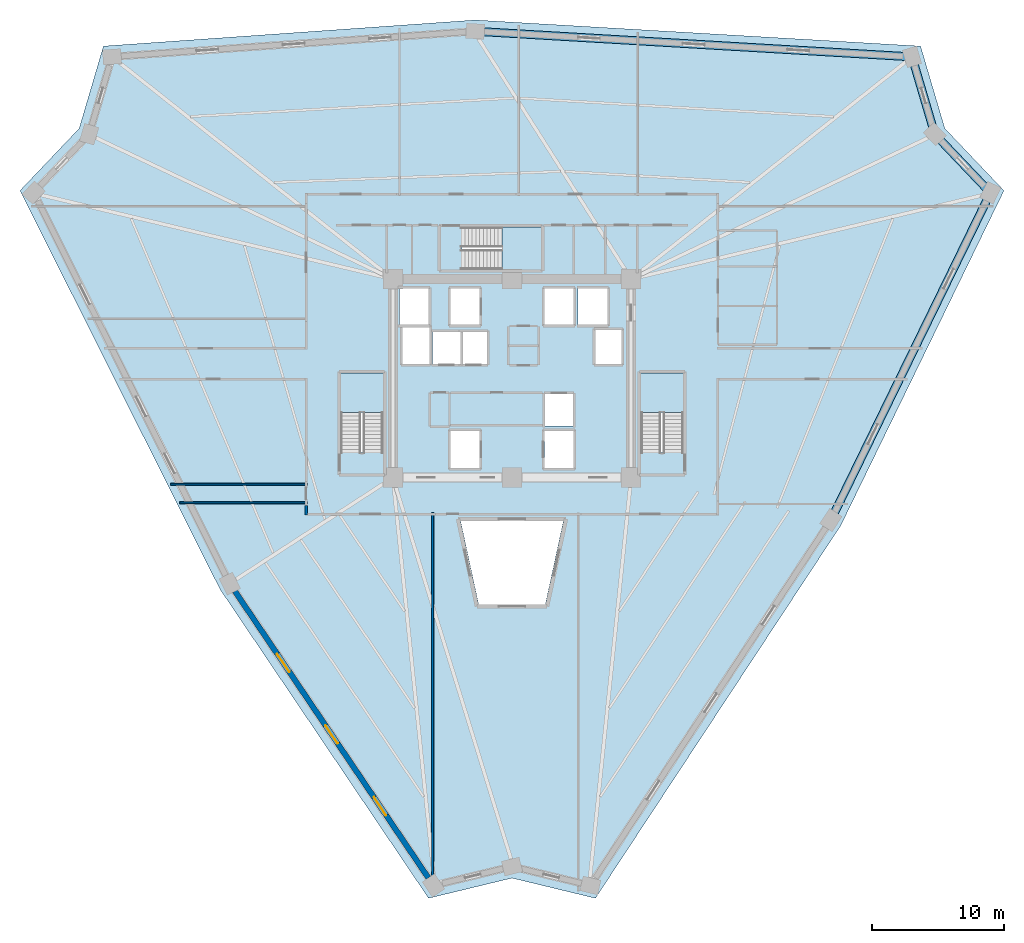
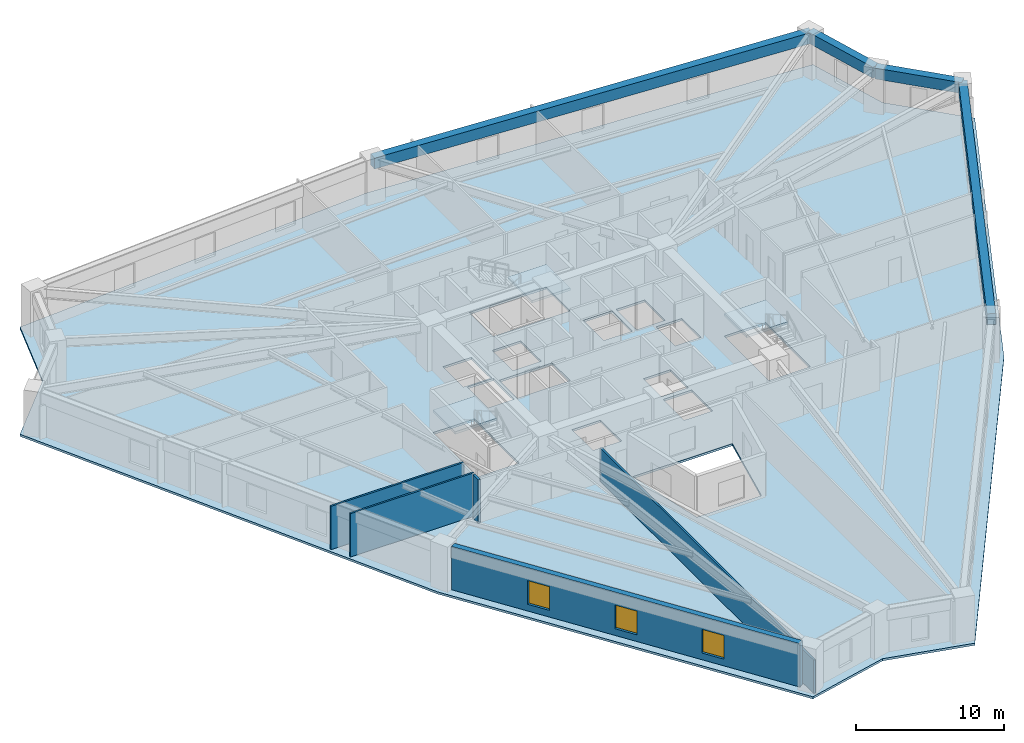
# One storey, part 2 of 9: 5 walls, 4 beams, 4 slabs, 3 windows, 3 openings, 3 elements without a shape of their own.
"""IFC4 building model written with IfcOpenShell, lengths in metres."""

from ifc_helpers import new_model, si_unit, direction, frame, frame_2d, origin, origin_2d, place, context, subcontext, project, spatial, polyline, rectangle, outline, extrude, source, transform, mapped, material, layer, layer_set, material_profile, profile_set, type_object, element, fill, aggregate, save


model = new_model("IFC4")

# Units and contexts
model_context = context("Model", 3, precision=1e-05, world=origin(), true_north=direction((0.0, 1.0)))
body_context = subcontext(model_context, "Body", "Model", "MODEL_VIEW")
ifc_project = project(units=[si_unit("LENGTHUNIT", "METRE"), si_unit("AREAUNIT", "SQUARE_METRE"), si_unit("VOLUMEUNIT", "CUBIC_METRE"), si_unit("PLANEANGLEUNIT", "RADIAN"), si_unit("MASSUNIT", "GRAM", prefix="KILO")], contexts=[model_context])

# Site, building, storey
site_placement = place(None, origin())
site = spatial("IfcSite", under=ifc_project, at=site_placement, CompositionType="ELEMENT")
building_placement = place(site_placement, origin())
building = spatial("IfcBuilding", under=site, at=building_placement, Name="Liaohun Quay Tower", CompositionType="ELEMENT")
storey_placement = place(building_placement, frame((0.0, 0.0, 132.0)))
storey = spatial("IfcBuildingStorey", under=building, at=storey_placement, Name="L34", CompositionType="ELEMENT", Elevation=132.0)

# Beams
ifc_material_1 = material(Name="Precast concrete C55", Category="concrete")
ifc_material_profile = material_profile(ifc_material_1, rectangle(XDim=0.60009765625, YDim=0.89990234375, at=origin_2d()), Name="RC600x900")
ifc_profile_set = profile_set([ifc_material_profile], Name="Precast concrete C55")
beam_type = type_object("IfcBeamType", Name="BM-SPD-Z2", PredefinedType="SPANDREL", material=ifc_profile_set)
shared_shape_1 = source(origin(), body_context, "Body", "SweptSolid", [
    extrude(rectangle(XDim=0.60009765625, YDim=0.89990234375, at=origin_2d()), origin(), (0.0, 0.0, 1.0), 27.518798828125),
])
beam_1_placement = place(storey_placement, frame((96.156005859375, 68.027099609375, 3.1201171875), z_axis=(-0.438130832845, -0.898911215477, 0.0), x_axis=(0.898911215477, -0.438130832845, 0.0)))
element("IfcBeam", 1, at=beam_1_placement, inside=storey, type_object=beam_type, Name="L34 Precast Spandrel Beam PC09-PC10", PredefinedType="SPANDREL", context=body_context, shape_type="MappedRepresentation", body=[
    mapped(shared_shape_1, transform((0.0, 0.0, 0.0), x_axis=(1.0, 0.0, 0.0), y_axis=(0.0, 1.0, 0.0), z_axis=(0.0, 0.0, 1.0), scale=1.0)),
])
shared_shape_2 = source(origin(), body_context, "Body", "SweptSolid", [
    extrude(rectangle(XDim=0.60009765625, YDim=0.89990234375, at=origin_2d()), origin(), (0.0, 0.0, 1.0), 33.05859375),
])
beam_2_placement = place(storey_placement, frame((57.22607421875, 80.22607421875, 3.1201171875), z_axis=(0.998287133367, -0.058504695142, 0.0), x_axis=(0.058504695142, 0.998287133367, 0.0)))
element("IfcBeam", 2, at=beam_2_placement, inside=storey, type_object=beam_type, Name="L34 Precast Spandrel Beam PC06-PC07", PredefinedType="SPANDREL", context=body_context, shape_type="MappedRepresentation", body=[
    mapped(shared_shape_2, transform((0.0, 0.0, 0.0), x_axis=(1.0, 0.0, 0.0), y_axis=(0.0, 1.0, 0.0), z_axis=(0.0, 0.0, 1.0), scale=1.0)),
])
shared_shape_3 = source(origin(), body_context, "Body", "SweptSolid", [
    extrude(rectangle(XDim=0.60009765625, YDim=0.89990234375, at=origin_2d()), origin(), (0.0, 0.0, 1.0), 6.09326171875),
])
beam_3_placement = place(storey_placement, frame((90.22802734375, 78.2919921875, 3.1201171875), z_axis=(0.282591464214, -0.959240357967, 0.0), x_axis=(0.959240357967, 0.282591464214, 0.0)))
element("IfcBeam", 3, at=beam_3_placement, inside=storey, type_object=beam_type, Name="L34 Precast Spandrel Beam PC07-PC08", PredefinedType="SPANDREL", context=body_context, shape_type="MappedRepresentation", body=[
    mapped(shared_shape_3, transform((0.0, 0.0, 0.0), x_axis=(1.0, 0.0, 0.0), y_axis=(0.0, 1.0, 0.0), z_axis=(0.0, 0.0, 1.0), scale=1.0)),
])
shared_shape_4 = source(origin(), body_context, "Body", "SweptSolid", [
    extrude(rectangle(XDim=0.60009765625, YDim=0.89990234375, at=origin_2d()), origin(), (0.0, 0.0, 1.0), 6.101318359375),
])
beam_4_placement = place(storey_placement, frame((91.949951171875, 72.447021484375, 3.1201171875), z_axis=(0.689363360648, -0.724415734918, 0.0), x_axis=(0.724415734918, 0.689363360648, 0.0)))
element("IfcBeam", 4, at=beam_4_placement, inside=storey, type_object=beam_type, Name="L34 Precast Spandrel Beam PC08-PC09", PredefinedType="SPANDREL", context=body_context, shape_type="MappedRepresentation", body=[
    mapped(shared_shape_4, transform((0.0, 0.0, 0.0), x_axis=(1.0, 0.0, 0.0), y_axis=(0.0, 1.0, 0.0), z_axis=(0.0, 0.0, 1.0), scale=1.0)),
])

# Stair, slab
ifc_material_2 = material(Name="Concrete C45", Category="concrete")
stair_type = type_object("IfcStairType", Name="STR-CORE-OFF", PredefinedType="HALF_TURN_STAIR", material=ifc_material_2)
stair_1_placement = place(storey_placement, origin())
stair_1 = element("IfcStair", 5, at=stair_1_placement, inside=storey, type_object=stair_type, Name="L34 Smokeproof Core Exit Stair ST-1", PredefinedType="HALF_TURN_STAIR")
ifc_layer_1 = layer(ifc_material_2, 0.199951171875, Name="Concrete C45", Category="concrete")
ifc_layer_set_1 = layer_set([ifc_layer_1], Name="Concrete C45")
slab_type_1 = type_object("IfcSlabType", Name="SLB-LND-200", PredefinedType="LANDING", material=ifc_layer_set_1)
slab_1_placement = place(storey_placement, frame((0.0, 0.0, 1.675048828125)))
slab_1 = element("IfcSlab", 6, at=slab_1_placement, type_object=slab_type_1, Name="ST-1 landing 1", PredefinedType="LANDING", context=body_context, shape_type="SweptSolid", body=[
    extrude(outline(polyline([(50.280029296875, 51.429931640625), (50.280029296875, 54.419921875), (47.0400390625, 54.419921875), (47.0400390625, 51.429931640625), (50.280029296875, 51.429931640625)])), origin(), (0.0, 0.0, 1.0), 0.199951171875),
])
aggregate(stair_1, [slab_1])

stair_2_placement = place(storey_placement, origin())
stair_2 = element("IfcStair", 7, at=stair_2_placement, inside=storey, type_object=stair_type, Name="L34 Smokeproof Core Exit Stair ST-2", PredefinedType="HALF_TURN_STAIR")
slab_2_placement = place(storey_placement, frame((0.0, 0.0, 1.675048828125)))
slab_2 = element("IfcSlab", 8, at=slab_2_placement, type_object=slab_type_1, Name="ST-2 landing 1", PredefinedType="LANDING", context=body_context, shape_type="SweptSolid", body=[
    extrude(outline(polyline([(72.9599609375, 51.429931640625), (72.9599609375, 54.419921875), (69.719970703125, 54.419921875), (69.719970703125, 51.429931640625), (72.9599609375, 51.429931640625)])), origin(), (0.0, 0.0, 1.0), 0.199951171875),
])
aggregate(stair_2, [slab_2])

stair_3_placement = place(storey_placement, origin())
stair_3 = element("IfcStair", 9, at=stair_3_placement, inside=storey, type_object=stair_type, Name="L34 Smokeproof Core Exit Stair ST-3", PredefinedType="HALF_TURN_STAIR")
slab_3_placement = place(storey_placement, frame((0.0, 0.0, 1.675048828125)))
slab_3 = element("IfcSlab", 10, at=slab_3_placement, type_object=slab_type_1, Name="ST-3 landing 1", PredefinedType="LANDING", context=body_context, shape_type="SweptSolid", body=[
    extrude(outline(polyline([(59.22998046875, 62.199951171875), (62.219970703125, 62.199951171875), (62.219970703125, 65.43994140625), (59.22998046875, 65.43994140625), (59.22998046875, 62.199951171875)])), origin(), (0.0, 0.0, 1.0), 0.199951171875),
])
aggregate(stair_3, [slab_3])

# Slab
ifc_layer_2 = layer(ifc_material_2, 0.179931640625, Name="Concrete C45", Category="concrete")
ifc_layer_set_2 = layer_set([ifc_layer_2], Name="Concrete C45")
slab_type_2 = type_object("IfcSlabType", Name="SLB-OFF-180", PredefinedType="FLOOR", material=ifc_layer_set_2)
slab_4_placement = place(storey_placement, frame((0.0, 0.0, -0.179931640625)))
element("IfcSlab", 11, at=slab_4_placement, inside=storey, type_object=slab_type_2, Name="L34 Structural Floor Slab", PredefinedType="FLOOR", context=body_context, shape_type="SweptSolid", body=[
    extrude(outline(polyline([(53.695068359375, 14.7099609375), (60.0, 16.23291015625), (66.304931640625, 14.7099609375), (84.839111328125, 42.867919921875), (97.178955078125, 68.18505859375), (92.70703125, 72.884033203125), (90.8740234375, 79.10595703125), (57.220947265625, 81.077880859375), (29.1259765625, 79.10595703125), (27.29296875, 72.884033203125), (22.821044921875, 68.18505859375), (37.93896484375, 38.054931640625), (53.695068359375, 14.7099609375)]), holes=[polyline([(57.56005859375, 50.030029296875), (55.340087890625, 50.030029296875), (55.340087890625, 47.2099609375), (57.56005859375, 47.2099609375), (57.56005859375, 50.030029296875)]), polyline([(50.280029296875, 54.419921875), (47.0400390625, 54.419921875), (47.0400390625, 48.409912109375), (50.280029296875, 48.409912109375), (50.280029296875, 54.419921875)]), polyline([(53.989990234375, 55.090087890625), (58.110107421875, 55.090087890625), (58.110107421875, 57.510009765625), (53.989990234375, 57.510009765625), (53.989990234375, 55.090087890625)]), polyline([(53.760009765625, 55.090087890625), (53.760009765625, 57.909912109375), (51.7099609375, 57.909912109375), (51.7099609375, 55.090087890625), (53.760009765625, 55.090087890625)]), polyline([(53.7099609375, 58.0400390625), (53.7099609375, 60.7900390625), (51.489990234375, 60.7900390625), (51.489990234375, 58.0400390625), (53.7099609375, 58.0400390625)]), polyline([(57.56005859375, 58.0400390625), (57.56005859375, 60.7900390625), (55.340087890625, 60.7900390625), (55.340087890625, 58.0400390625), (57.56005859375, 58.0400390625)]), polyline([(62.219970703125, 62.199951171875), (62.219970703125, 65.43994140625), (56.2099609375, 65.43994140625), (56.2099609375, 62.199951171875), (62.219970703125, 62.199951171875)]), polyline([(62.52001953125, 36.924072265625), (63.876953125, 43.199951171875), (56.123046875, 43.199951171875), (57.47998046875, 36.924072265625), (62.52001953125, 36.924072265625)]), polyline([(64.659912109375, 47.2099609375), (64.659912109375, 50.030029296875), (62.43994140625, 50.030029296875), (62.43994140625, 47.2099609375), (64.659912109375, 47.2099609375)]), polyline([(72.9599609375, 54.419921875), (69.719970703125, 54.419921875), (69.719970703125, 48.409912109375), (72.9599609375, 48.409912109375), (72.9599609375, 54.419921875)]), polyline([(64.610107421875, 50.389892578125), (64.610107421875, 52.81005859375), (62.489990234375, 52.81005859375), (62.489990234375, 50.389892578125), (64.610107421875, 50.389892578125)]), polyline([(68.2900390625, 55.090087890625), (68.2900390625, 57.659912109375), (66.2900390625, 57.659912109375), (66.2900390625, 55.090087890625), (68.2900390625, 55.090087890625)]), polyline([(64.659912109375, 58.0400390625), (64.659912109375, 60.7900390625), (62.43994140625, 60.7900390625), (62.43994140625, 58.0400390625), (64.659912109375, 58.0400390625)]), polyline([(67.2099609375, 58.0400390625), (67.2099609375, 60.7900390625), (64.989990234375, 60.7900390625), (64.989990234375, 58.0400390625), (67.2099609375, 58.0400390625)])]), origin(), (0.0, 0.0, 1.0), 0.179931640625),
])

# Wall, openings, windows
ifc_material_3 = material(Name="Precast concrete C50 insulated sandwich", Category="concrete")
ifc_layer_3 = layer(ifc_material_3, 0.419921875, Name="Precast concrete C50 insulated sandwich", Category="concrete")
ifc_layer_set_3 = layer_set([ifc_layer_3], Name="Precast concrete C50 insulated sandwich")
wall_type_1 = type_object("IfcWallType", Name="WAL-EXT-Z12", PredefinedType="SOLIDWALL", material=ifc_layer_set_3)
wall_1_placement = place(storey_placement, frame((39.06005859375, 37.9130859375, 0.0), z_axis=(0.0, 0.0, 1.0), x_axis=(0.559433071817, -0.828875526335, 0.0)))
wall_1 = element("IfcWall", 12, at=wall_1_placement, inside=storey, type_object=wall_type_1, Name="L34 Brutalist Precast Pier Wall 11", PredefinedType="SOLIDWALL", context=body_context, shape_type="SweptSolid", body=[
    extrude(rectangle(XDim=26.13916015625, YDim=0.419921875, at=frame_2d((13.069580078125, 0.0))), origin(), (0.0, 0.0, 1.0), 3.570068359375),
])
shared_shape_5 = source(origin(), body_context, "Body", "SweptSolid", [
    extrude(rectangle(XDim=1.64990234375, YDim=1.949951171875, at=frame_2d((0.824951171875, 0.97509765625))), frame((0.0, 0.219970703125, 0.0), z_axis=(0.0, -1.0, 0.0), x_axis=(1.0, 0.0, 0.0)), (0.0, 0.0, 1.0), 0.43994140625),
])
opening_1_placement = place(wall_1_placement, frame((5.7099609375, 0.0, 0.550048828125)))
opening_1 = element("IfcOpeningElement", 13, at=opening_1_placement, cuts=wall_1, Name="Opening W02", PredefinedType="OPENING", context=body_context, shape_type="MappedRepresentation", body=[
    mapped(shared_shape_5, transform((0.0, 0.0, 0.0), x_axis=(1.0, 0.0, 0.0), y_axis=(0.0, 1.0, 0.0), z_axis=(0.0, 0.0, 1.0), scale=1.0)),
])
opening_2_placement = place(wall_1_placement, frame((12.2451171875, 0.0, 0.550048828125)))
opening_2 = element("IfcOpeningElement", 14, at=opening_2_placement, cuts=wall_1, Name="Opening W02", PredefinedType="OPENING", context=body_context, shape_type="MappedRepresentation", body=[
    mapped(shared_shape_5, transform((0.0, 0.0, 0.0), x_axis=(1.0, 0.0, 0.0), y_axis=(0.0, 1.0, 0.0), z_axis=(0.0, 0.0, 1.0), scale=1.0)),
])
opening_3_placement = place(wall_1_placement, frame((18.779052734375, 0.0, 0.550048828125)))
opening_3 = element("IfcOpeningElement", 15, at=opening_3_placement, cuts=wall_1, Name="Opening W02", PredefinedType="OPENING", context=body_context, shape_type="MappedRepresentation", body=[
    mapped(shared_shape_5, transform((0.0, 0.0, 0.0), x_axis=(1.0, 0.0, 0.0), y_axis=(0.0, 1.0, 0.0), z_axis=(0.0, 0.0, 1.0), scale=1.0)),
])
ifc_material_4 = material(Name="Triple Low-E argon glazing in thermally broken aluminium", Category="aluminium")
window_type = type_object("IfcWindowType", Name="WIN-PUN-Z2", PartitioningType="DOUBLE_PANEL_VERTICAL", PredefinedType="WINDOW", material=ifc_material_4)
shared_shape_6 = source(origin(), body_context, "Body", "SweptSolid", [
    extrude(rectangle(XDim=1.64990234375, YDim=1.949951171875, at=frame_2d((0.824951171875, 0.97509765625))), frame((0.0, 0.030029296875, 0.0), z_axis=(0.0, -1.0, 0.0), x_axis=(1.0, 0.0, 0.0)), (0.0, 0.0, 1.0), 0.06005859375),
])
window_1_placement = place(opening_1_placement, origin())
window_1 = element("IfcWindow", 16, at=window_1_placement, inside=storey, type_object=window_type, Name="L34 Recessed Cold-Climate Punched Window 11-1", OverallHeight=1.949951171875, OverallWidth=1.64990234375, PartitioningType="DOUBLE_PANEL_VERTICAL", PredefinedType="WINDOW", context=body_context, shape_type="MappedRepresentation", body=[
    mapped(shared_shape_6, transform((0.0, 0.0, 0.0), x_axis=(1.0, 0.0, 0.0), y_axis=(0.0, 1.0, 0.0), z_axis=(0.0, 0.0, 1.0), scale=1.0)),
])
fill(opening_1, window_1)
window_2_placement = place(opening_2_placement, origin())
window_2 = element("IfcWindow", 17, at=window_2_placement, inside=storey, type_object=window_type, Name="L34 Recessed Cold-Climate Punched Window 11-2", OverallHeight=1.949951171875, OverallWidth=1.64990234375, PartitioningType="DOUBLE_PANEL_VERTICAL", PredefinedType="WINDOW", context=body_context, shape_type="MappedRepresentation", body=[
    mapped(shared_shape_6, transform((0.0, 0.0, 0.0), x_axis=(1.0, 0.0, 0.0), y_axis=(0.0, 1.0, 0.0), z_axis=(0.0, 0.0, 1.0), scale=1.0)),
])
fill(opening_2, window_2)
window_3_placement = place(opening_3_placement, origin())
window_3 = element("IfcWindow", 18, at=window_3_placement, inside=storey, type_object=window_type, Name="L34 Recessed Cold-Climate Punched Window 11-3", OverallHeight=1.949951171875, OverallWidth=1.64990234375, PartitioningType="DOUBLE_PANEL_VERTICAL", PredefinedType="WINDOW", context=body_context, shape_type="MappedRepresentation", body=[
    mapped(shared_shape_6, transform((0.0, 0.0, 0.0), x_axis=(1.0, 0.0, 0.0), y_axis=(0.0, 1.0, 0.0), z_axis=(0.0, 0.0, 1.0), scale=1.0)),
])
fill(opening_3, window_3)

# Walls
ifc_material_5 = material(Name="Autoclaved aerated concrete blockwork", Category="masonry")
ifc_layer_4 = layer(ifc_material_5, 0.179931640625, Name="Autoclaved aerated concrete blockwork", Category="masonry")
ifc_layer_set_4 = layer_set([ifc_layer_4], Name="Autoclaved aerated concrete blockwork")
wall_type_2 = type_object("IfcWallType", Name="WAL-PRT-COR", PredefinedType="PARTITIONING", material=ifc_layer_set_4)
wall_2_placement = place(storey_placement, frame((44.43994140625, 43.669921875, 0.0), z_axis=(0.0, 0.0, 1.0), x_axis=(0.0, 1.0, 0.0)))
element("IfcWall", 19, at=wall_2_placement, inside=storey, type_object=wall_type_2, Name="L34 Interior Partition Wall 049", PredefinedType="PARTITIONING", context=body_context, shape_type="SweptSolid", body=[
    extrude(rectangle(XDim=0.715087890625, YDim=0.179931640625, at=frame_2d((0.357421875, 0.0))), origin(), (0.0, 0.0, 1.0), 3.570068359375),
])
ifc_material_6 = material(Name="Gypsum board on twin steel studs", Category="steel")
ifc_layer_5 = layer(ifc_material_6, 0.139892578125, Name="Gypsum board on twin steel studs", Category="steel")
ifc_layer_set_5 = layer_set([ifc_layer_5], Name="Gypsum board on twin steel studs")
wall_type_3 = type_object("IfcWallType", Name="WAL-PRT-OFF", PredefinedType="PARTITIONING", material=ifc_layer_set_5)
wall_3_placement = place(storey_placement, frame((44.5400390625, 44.60009765625, 0.0), z_axis=(0.0, 0.0, 1.0), x_axis=(-1.0, 0.0, 0.0)))
element("IfcWall", 20, at=wall_3_placement, inside=storey, type_object=wall_type_3, Name="L34 Interior Partition Wall 052", PredefinedType="PARTITIONING", context=body_context, shape_type="SweptSolid", body=[
    extrude(rectangle(XDim=9.63916015625, YDim=0.139892578125, at=frame_2d((4.819580078125, 0.0))), origin(), (0.0, 0.0, 1.0), 3.570068359375),
])
wall_4_placement = place(storey_placement, frame((44.5400390625, 46.0, 0.0), z_axis=(0.0, 0.0, 1.0), x_axis=(-1.0, 0.0, 0.0)))
element("IfcWall", 21, at=wall_4_placement, inside=storey, type_object=wall_type_3, Name="L34 Interior Partition Wall 053", PredefinedType="PARTITIONING", context=body_context, shape_type="SweptSolid", body=[
    extrude(rectangle(XDim=10.341064453125, YDim=0.139892578125, at=frame_2d((5.17041015625, 0.0))), origin(), (0.0, 0.0, 1.0), 3.570068359375),
])
wall_5_placement = place(storey_placement, frame((54.0, 43.840087890625, 0.0), z_axis=(0.0, 0.0, 1.0), x_axis=(0.0, -1.0, 0.0)))
element("IfcWall", 22, at=wall_5_placement, inside=storey, type_object=wall_type_3, Name="L34 Interior Partition Wall 061", PredefinedType="PARTITIONING", context=body_context, shape_type="SweptSolid", body=[
    extrude(rectangle(XDim=28.830078125, YDim=0.139892578125, at=frame_2d((14.4150390625, 0.0))), origin(), (0.0, 0.0, 1.0), 2.7548828125),
])

save(model, "model.ifc")
